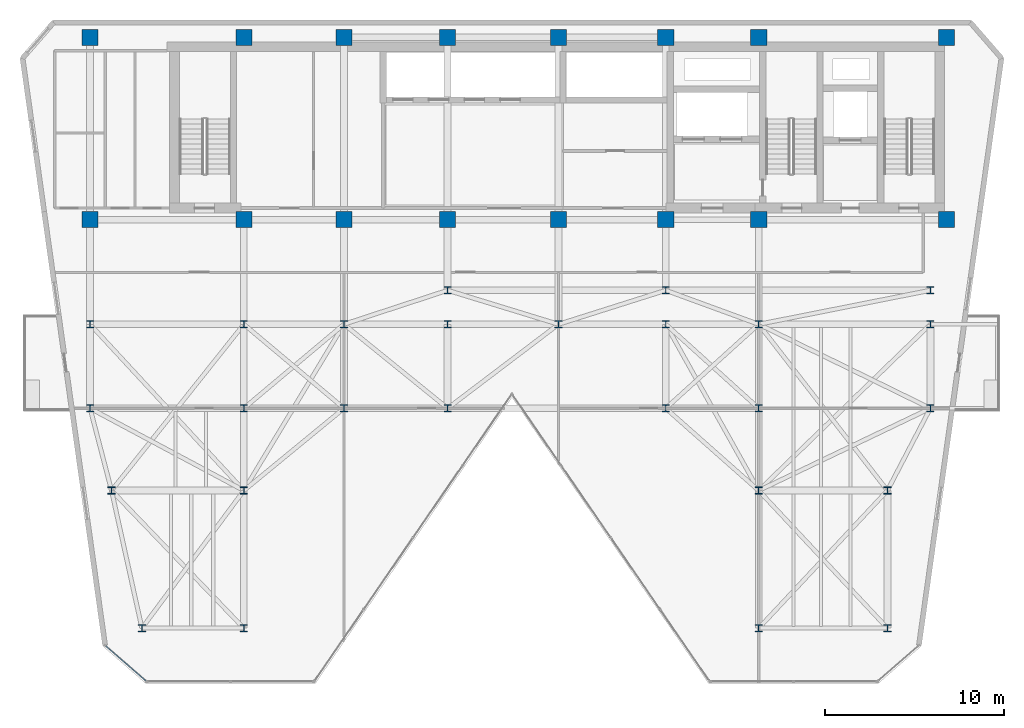
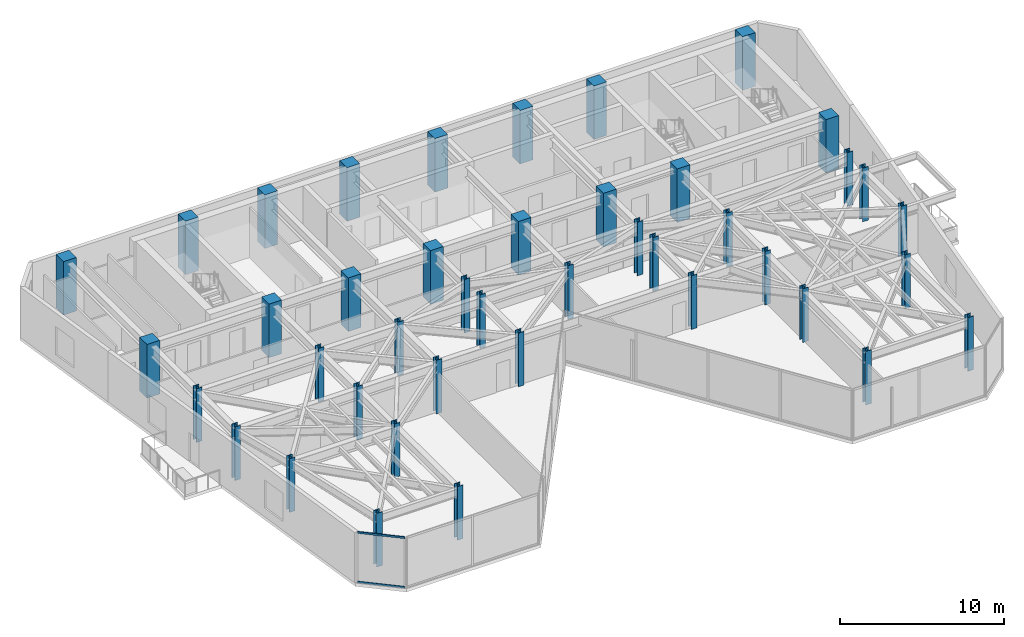
# One storey, part 1 of 21: 42 columns, 2 members, 1 element without a shape of its own.
"""IFC4 building model written with IfcOpenShell, lengths in metres."""

from ifc_helpers import new_model, si_unit, direction, frame, origin, origin_2d, place, context, subcontext, project, spatial, rectangle, hollow_rectangle, i_section, extrude, material, layer, layer_set, material_profile, profile_set, type_object, element, aggregate, save


model = new_model("IFC4")

# Units and contexts
model_context = context("Model", 3, precision=1e-05, world=origin(), true_north=direction((0.0, 1.0)))
body_context = subcontext(model_context, "Body", "Model", "MODEL_VIEW")
ifc_project = project(units=[si_unit("LENGTHUNIT", "METRE"), si_unit("AREAUNIT", "SQUARE_METRE"), si_unit("VOLUMEUNIT", "CUBIC_METRE"), si_unit("PLANEANGLEUNIT", "RADIAN"), si_unit("MASSUNIT", "GRAM", prefix="KILO")], contexts=[model_context])

# Site, building, storey
site_placement = place(None, origin())
site = spatial("IfcSite", under=ifc_project, at=site_placement, CompositionType="ELEMENT")
building_placement = place(site_placement, origin())
building = spatial("IfcBuilding", under=site, at=building_placement, Name="Kravanh Interchange Tower", CompositionType="ELEMENT")
storey_placement = place(building_placement, frame((0.0, 0.0, 208.5)))
storey = spatial("IfcBuildingStorey", under=building, at=storey_placement, Name="L50", CompositionType="ELEMENT", Elevation=208.5)

# Columns
ifc_material_1 = material(Name="Concrete C60/75", Category="concrete")
ifc_material_profile_1 = material_profile(ifc_material_1, rectangle(XDim=0.89990234375, YDim=0.89990234375, at=origin_2d()), Name="RC900X900")
ifc_profile_set_1 = profile_set([ifc_material_profile_1], Name="Concrete C60/75")
column_type_1 = type_object("IfcColumnType", Name="Column RC900X900 Concrete C60/75", PredefinedType="COLUMN", material=ifc_profile_set_1)
for number, where, z_axis, x_axis, name in (
    (1, (66.5, 47.550048828125, 0.0), (0.0, 0.0, 1.0), (1.0, 0.0, 0.0), "L50 Column CS01"),
    (2, (56.0, 47.550048828125, 0.0), (0.0, 0.0, 1.0), (1.0, 0.0, 0.0), "L50 Column CS02"),
    (3, (66.5, 37.35009765625, 0.0), (0.0, 0.0, 1.0), (1.0, 0.0, 0.0), "L50 Column CS03"),
    (4, (56.0, 37.35009765625, 0.0), (0.0, 0.0, 1.0), (1.0, 0.0, 0.0), "L50 Column CS04"),
    (5, (50.800048828125, 47.550048828125, 0.0), (0.0, 0.0, 1.0), (1.0, 0.0, 0.0), "L50 Column CS05"),
    (6, (50.800048828125, 37.35009765625, 0.0), (0.0, 0.0, 1.0), (1.0, 0.0, 0.0), "L50 Column CS06"),
    (7, (44.800048828125, 37.35009765625, 0.0), (0.0, 0.0, 1.0), (1.0, 0.0, 0.0), "L50 Column CS07"),
    (8, (44.800048828125, 47.550048828125, 0.0), (0.0, 0.0, 1.0), (1.0, 0.0, 0.0), "L50 Column CS08"),
    (9, (38.60009765625, 37.35009765625, 0.0), (0.0, 0.0, 1.0), (1.0, 0.0, 0.0), "L50 Column CS09"),
    (10, (38.60009765625, 47.550048828125, 0.0), (0.0, 0.0, 1.0), (1.0, 0.0, 0.0), "L50 Column CS10"),
    (11, (32.800048828125, 37.35009765625, 0.0), (0.0, 0.0, 1.0), (1.0, 0.0, 0.0), "L50 Column CS11"),
    (12, (32.800048828125, 47.550048828125, 0.0), (0.0, 0.0, 1.0), (1.0, 0.0, 0.0), "L50 Column CS12"),
    (13, (27.199951171875, 37.35009765625, 0.0), (0.0, 0.0, 1.0), (1.0, 0.0, 0.0), "L50 Column CS13"),
    (14, (27.199951171875, 47.550048828125, 0.0), (0.0, 0.0, 1.0), (1.0, 0.0, 0.0), "L50 Column CS14"),
    (15, (18.60009765625, 37.35009765625, 0.0), (0.0, 0.0, 1.0), (1.0, 0.0, 0.0), "L50 Column CS17"),
    (16, (18.60009765625, 47.550048828125, 0.0), (0.0, 0.0, 1.0), (1.0, 0.0, 0.0), "L50 Column CS18"),
):
    element("IfcColumn", number, at=place(storey_placement, frame(where, z_axis=z_axis, x_axis=x_axis)), inside=storey, type_object=column_type_1, Name=name, PredefinedType="COLUMN", context=body_context, shape_type="SweptSolid", body=[
        extrude(rectangle(XDim=0.89990234375, YDim=0.89990234375, at=origin_2d()), origin(), (0.0, 0.0, 1.0), 4.0),
    ])
ifc_material_2 = material(Name="Structural Steel S355", Category="steel")
ifc_material_profile_2 = material_profile(ifc_material_2, i_section(OverallWidth=0.40087890625, OverallDepth=0.39892578125, WebThickness=0.02490234375, FlangeThickness=0.03955078125, FilletRadius=0.030029296875, at=origin_2d()), Name="W14X211")
ifc_profile_set_2 = profile_set([ifc_material_profile_2], Name="Structural Steel S355")
column_type_2 = type_object("IfcColumnType", Name="Column W14X211 Structural Steel S355", PredefinedType="COLUMN", material=ifc_profile_set_2)
for number, where, z_axis, x_axis, name in (
    (17, (21.5, 14.5, 0.0), (0.0, 0.0, 1.0), (1.0, 0.0, 0.0), "L50 Column CZ3_1"),
    (18, (18.60009765625, 26.800048828125, 0.0), (0.0, 0.0, 1.0), (1.0, 0.0, 0.0), "L50 Column CZ3_11"),
    (19, (27.199951171875, 26.800048828125, 0.0), (0.0, 0.0, 1.0), (1.0, 0.0, 0.0), "L50 Column CZ3_12"),
    (20, (32.800048828125, 26.800048828125, 0.0), (0.0, 0.0, 1.0), (1.0, 0.0, 0.0), "L50 Column CZ3_13"),
    (21, (38.60009765625, 26.800048828125, 0.0), (0.0, 0.0, 1.0), (1.0, 0.0, 0.0), "L50 Column CZ3_13B"),
    (22, (50.800048828125, 26.800048828125, 0.0), (0.0, 0.0, 1.0), (1.0, 0.0, 0.0), "L50 Column CZ3_14"),
    (23, (56.0, 26.800048828125, 0.0), (0.0, 0.0, 1.0), (1.0, 0.0, 0.0), "L50 Column CZ3_15"),
    (24, (65.60009765625, 26.800048828125, 0.0), (0.0, 0.0, 1.0), (1.0, 0.0, 0.0), "L50 Column CZ3_16"),
    (25, (18.60009765625, 31.5, 0.0), (0.0, 0.0, 1.0), (1.0, 0.0, 0.0), "L50 Column CZ3_17"),
    (26, (27.199951171875, 31.5, 0.0), (0.0, 0.0, 1.0), (1.0, 0.0, 0.0), "L50 Column CZ3_18"),
    (27, (32.800048828125, 31.5, 0.0), (0.0, 0.0, 1.0), (1.0, 0.0, 0.0), "L50 Column CZ3_19"),
    (28, (27.199951171875, 14.5, 0.0), (0.0, 0.0, 1.0), (1.0, 0.0, 0.0), "L50 Column CZ3_2"),
    (29, (38.60009765625, 31.5, 0.0), (0.0, 0.0, 1.0), (1.0, 0.0, 0.0), "L50 Column CZ3_20"),
    (30, (44.800048828125, 31.5, 0.0), (0.0, 0.0, 1.0), (1.0, 0.0, 0.0), "L50 Column CZ3_21"),
    (31, (50.800048828125, 31.5, 0.0), (0.0, 0.0, 1.0), (1.0, 0.0, 0.0), "L50 Column CZ3_22"),
    (32, (56.0, 31.5, 0.0), (0.0, 0.0, 1.0), (1.0, 0.0, 0.0), "L50 Column CZ3_23"),
    (33, (65.60009765625, 31.5, 0.0), (0.0, 0.0, 1.0), (1.0, 0.0, 0.0), "L50 Column CZ3_24"),
    (34, (56.0, 14.5, 0.0), (0.0, 0.0, 1.0), (1.0, 0.0, 0.0), "L50 Column CZ3_3"),
    (35, (63.199951171875, 14.5, 0.0), (0.0, 0.0, 1.0), (1.0, 0.0, 0.0), "L50 Column CZ3_4"),
    (36, (19.800048828125, 22.199951171875, 0.0), (0.0, 0.0, 1.0), (1.0, 0.0, 0.0), "L50 Column CZ3_5"),
    (37, (27.199951171875, 22.199951171875, 0.0), (0.0, 0.0, 1.0), (1.0, 0.0, 0.0), "L50 Column CZ3_6"),
    (38, (56.0, 22.199951171875, 0.0), (0.0, 0.0, 1.0), (1.0, 0.0, 0.0), "L50 Column CZ3_8"),
    (39, (63.199951171875, 22.199951171875, 0.0), (0.0, 0.0, 1.0), (1.0, 0.0, 0.0), "L50 Column CZ3_9"),
    (40, (38.60009765625, 33.39990234375, 0.0), (0.0, 0.0, 1.0), (1.0, 0.0, 0.0), "L50 Column CZ3_M1"),
    (41, (50.800048828125, 33.39990234375, 0.0), (0.0, 0.0, 1.0), (1.0, 0.0, 0.0), "L50 Column CZ3_M2"),
    (42, (65.60009765625, 33.39990234375, 0.0), (0.0, 0.0, 1.0), (1.0, 0.0, 0.0), "L50 Column CZ3_M3"),
):
    element("IfcColumn", number, at=place(storey_placement, frame(where, z_axis=z_axis, x_axis=x_axis)), inside=storey, type_object=column_type_2, Name=name, PredefinedType="COLUMN", context=body_context, shape_type="SweptSolid", body=[
        extrude(i_section(OverallWidth=0.40087890625, OverallDepth=0.39892578125, WebThickness=0.02490234375, FlangeThickness=0.03955078125, FilletRadius=0.030029296875, at=origin_2d()), origin(), (0.0, 0.0, 1.0), 4.0),
    ])

# Curtain wall, members
ifc_material_3 = material(Name="Anodised Bronze Aluminium", Category="aluminium")
ifc_layer = layer(ifc_material_3, 0.179931640625)
ifc_layer_set = layer_set([ifc_layer], Name="Unitised Curtain Wall System CW-Z3 Upper Office")
curtain_wall_type = type_object("IfcCurtainWallType", Name="Unitised Curtain Wall System CW-Z3 Upper Office", PredefinedType="NOTDEFINED", material=ifc_layer_set)
curtain_wall_placement = place(storey_placement, origin())
curtain_wall = element("IfcCurtainWall", 43, at=curtain_wall_placement, inside=storey, type_object=curtain_wall_type, Name="L50 Unitised Curtain Wall CW-L50-06", PredefinedType="NOTDEFINED")
ifc_material_4 = material(Name="Anodised Bronze Aluminium", Category="aluminium")
ifc_material_profile_3 = material_profile(ifc_material_4, hollow_rectangle(XDim=0.06005859375, YDim=0.139892578125, WallThickness=0.00390625, at=origin_2d()), Name="ALU60X140X4")
ifc_profile_set_3 = profile_set([ifc_material_profile_3], Name="Anodised Bronze Aluminium")
member_type = type_object("IfcMemberType", Name="Curtain Wall Transom ALU60X140X4 Bronze", PredefinedType="USERDEFINED", material=ifc_profile_set_3)
member_1_placement = place(storey_placement, frame((21.713623046875, 11.559326171875, 0.030029296875), z_axis=(-0.754708504141, 0.656060266879, 0.0), x_axis=(-0.656060266879, -0.754708504141, 0.0)))
member_1 = element("IfcMember", 44, at=member_1_placement, type_object=member_type, Name="CW-Z3 transom 1.1", ObjectType="TRANSOM", PredefinedType="USERDEFINED", context=body_context, shape_type="SweptSolid", body=[
    extrude(hollow_rectangle(XDim=0.06005859375, YDim=0.139892578125, WallThickness=0.00390625, at=origin_2d()), origin(), (0.0, 0.0, 1.0), 2.9599609375),
])
member_2_placement = place(storey_placement, frame((21.713623046875, 11.559326171875, 3.72509765625), z_axis=(-0.754708504141, 0.656060266879, 0.0), x_axis=(-0.656060266879, -0.754708504141, 0.0)))
member_2 = element("IfcMember", 45, at=member_2_placement, type_object=member_type, Name="CW-Z3 transom 1.2", ObjectType="TRANSOM", PredefinedType="USERDEFINED", context=body_context, shape_type="SweptSolid", body=[
    extrude(hollow_rectangle(XDim=0.06005859375, YDim=0.139892578125, WallThickness=0.00390625, at=origin_2d()), origin(), (0.0, 0.0, 1.0), 2.9599609375),
])
aggregate(curtain_wall, [member_1, member_2])

save(model, "model.ifc")
